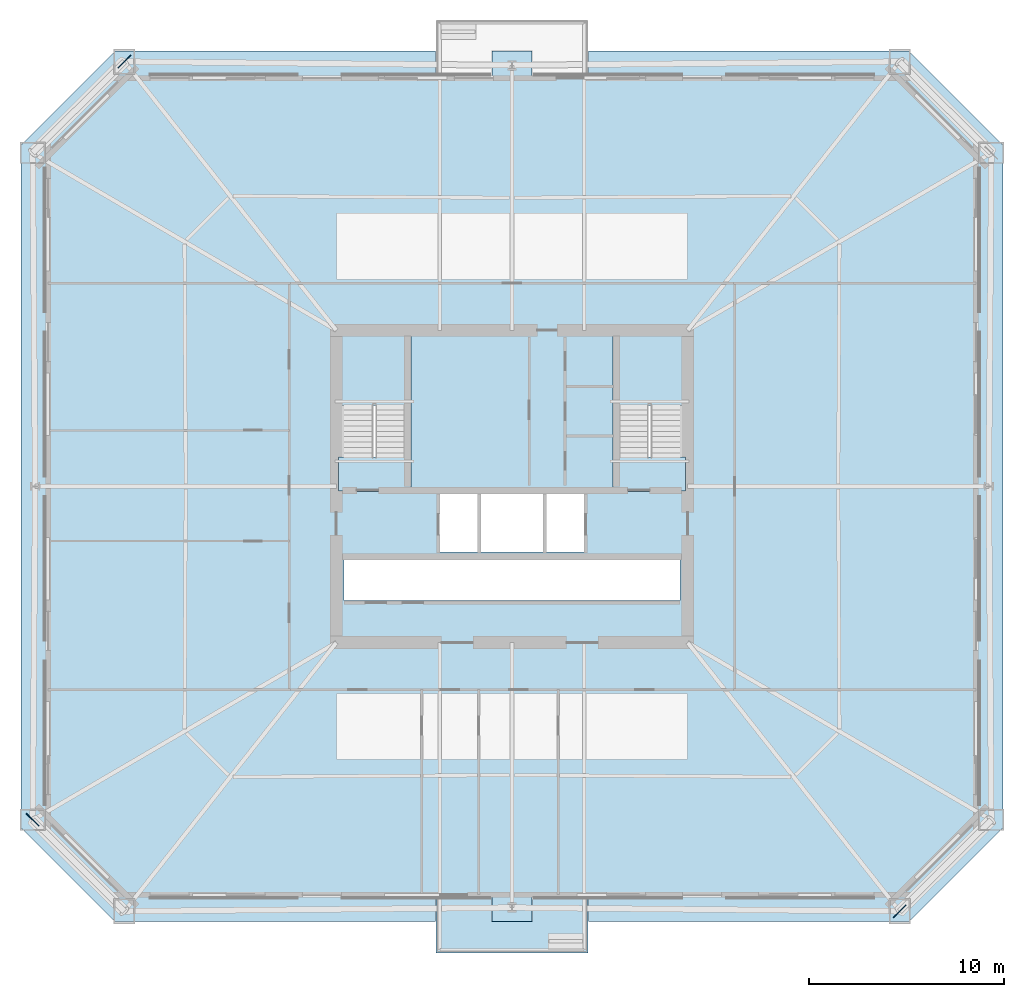
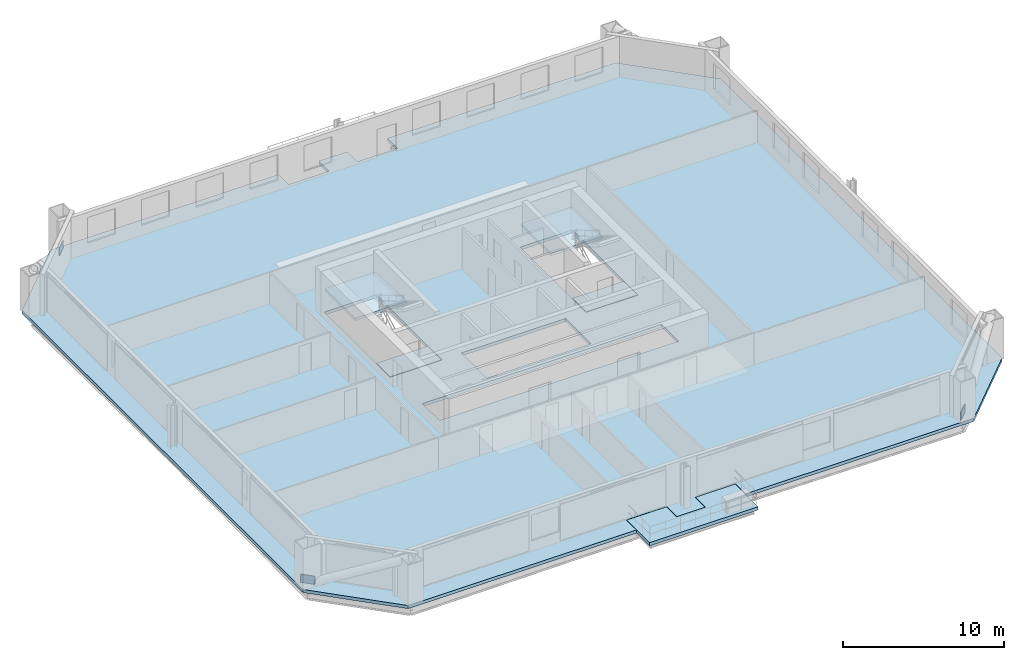
# One storey, part 2 of 8: 6 slabs, 3 plates, 2 elements without a shape of their own.
"""IFC4 building model written with IfcOpenShell, lengths in metres."""

from ifc_helpers import new_model, si_unit, direction, frame, origin, origin_2d, place, context, subcontext, project, spatial, polyline, rectangle, outline, extrude, material, layer, layer_set, type_object, element, aggregate, save


model = new_model("IFC4")

# Units and contexts
model_context = context("Model", 3, precision=1e-05, world=origin(), true_north=direction((0.0, 1.0)))
body_context = subcontext(model_context, "Body", "Model", "MODEL_VIEW")
ifc_project = project(units=[si_unit("LENGTHUNIT", "METRE"), si_unit("AREAUNIT", "SQUARE_METRE"), si_unit("VOLUMEUNIT", "CUBIC_METRE"), si_unit("PLANEANGLEUNIT", "RADIAN"), si_unit("MASSUNIT", "GRAM", prefix="KILO")], contexts=[model_context])

# Site, building, storey
site_placement = place(None, origin())
site = spatial("IfcSite", under=ifc_project, at=site_placement, CompositionType="ELEMENT")
building_placement = place(site_placement, origin())
building = spatial("IfcBuilding", under=site, at=building_placement, Name="Caelvoria Tower", CompositionType="ELEMENT")
storey_placement = place(building_placement, frame((0.0, 0.0, 42.39990234375)))
storey = spatial("IfcBuildingStorey", under=building, at=storey_placement, Name="L10", CompositionType="ELEMENT", Elevation=42.39990234375)

# Plates
ifc_material_1 = material(Name="Structural Steel ASTM A572 Gr.50", Category="steel")
ifc_layer_1 = layer(ifc_material_1, 0.0400390625, Name="Structural Steel ASTM A572 Gr.50")
ifc_layer_set_1 = layer_set([ifc_layer_1], Name="Megaframe Node Gusset Plate 900x600x40 - Structural Steel ASTM A572 Gr.50")
plate_type = type_object("IfcPlateType", Name="Megaframe Node Gusset Plate 900x600x40", PredefinedType="USERDEFINED", material=ifc_layer_set_1)
for number, where, z_axis, x_axis, name in (
    (1, (65.86474609375, 10.231689453125, 0.02001953125), (0.0, 0.0, 1.0), (0.708230183111, 0.705981591638, 0.0), "Chamfer Mega Brace Gusset L10 SE"),
    (2, (26.13525390625, 53.768310546875, 0.02001953125), (0.0, 0.0, 1.0), (-0.708230183111, -0.705981591638, 0.0), "Chamfer Mega Brace Gusset L10 NW"),
    (3, (21.44091796875, 14.9111328125, 0.02001953125), (0.0, 0.0, 1.0), (0.708230183111, -0.705981591638, 0.0), "Chamfer Mega Brace Gusset L10 SW"),
):
    element("IfcPlate", number, at=place(storey_placement, frame(where, z_axis=z_axis, x_axis=x_axis)), inside=storey, type_object=plate_type, Name=name, ObjectType="GUSSET_PLATE", PredefinedType="USERDEFINED", context=body_context, shape_type="SweptSolid", body=[
        extrude(rectangle(XDim=0.89990234375, YDim=0.0400390625, at=origin_2d()), origin(), (0.0, 0.0, 1.0), 0.60009765625),
    ])

# Stair, slabs
ifc_material_2 = material(Name="Concrete C40/50", Category="concrete")
stair_type = type_object("IfcStairType", Name="Core Smokeproof Dogleg Stair Concrete C40/50", PredefinedType="HALF_TURN_STAIR", material=ifc_material_2)
stair_1_placement = place(storey_placement, origin())
stair_1 = element("IfcStair", 4, at=stair_1_placement, inside=storey, type_object=stair_type, Name="ST-01 Smokeproof Exit Stair L10", PredefinedType="HALF_TURN_STAIR")
ifc_layer_2 = layer(ifc_material_2, 0.199951171875, Name="Concrete C40/50")
ifc_layer_set_2 = layer_set([ifc_layer_2], Name="Stair Half and Floor Landing Slab 200 Concrete C40/50 - Concrete C40/50")
slab_type_1 = type_object("IfcSlabType", Name="Stair Half and Floor Landing Slab 200 Concrete C40/50", PredefinedType="LANDING", material=ifc_layer_set_2)
slab_1_placement = place(storey_placement, frame((0.0, 0.0, -0.199951171875)))
slab_1 = element("IfcSlab", 5, at=slab_1_placement, type_object=slab_type_1, Name="ST-01 landing 1", PredefinedType="LANDING", context=body_context, shape_type="SweptSolid", body=[
    extrude(outline(polyline([(37.10009765625, 31.77001953125), (40.800048828125, 31.77001953125), (40.800048828125, 33.5), (37.10009765625, 33.5), (37.10009765625, 31.77001953125)])), origin(), (0.0, 0.0, 1.0), 0.199951171875),
])
slab_2_placement = place(storey_placement, frame((0.0, 0.0, 1.60009765625)))
slab_2 = element("IfcSlab", 6, at=slab_2_placement, type_object=slab_type_1, Name="ST-01 landing 2", PredefinedType="LANDING", context=body_context, shape_type="SweptSolid", body=[
    extrude(outline(polyline([(37.10009765625, 36.14990234375), (40.800048828125, 36.14990234375), (40.800048828125, 39.89990234375), (37.10009765625, 39.89990234375), (37.10009765625, 36.14990234375)])), origin(), (0.0, 0.0, 1.0), 0.199951171875),
])
aggregate(stair_1, [slab_1, slab_2])

stair_2_placement = place(storey_placement, origin())
stair_2 = element("IfcStair", 7, at=stair_2_placement, inside=storey, type_object=stair_type, Name="ST-02 Smokeproof Exit Stair L10", PredefinedType="HALF_TURN_STAIR")
slab_3_placement = place(storey_placement, frame((0.0, 0.0, -0.199951171875)))
slab_3 = element("IfcSlab", 8, at=slab_3_placement, type_object=slab_type_1, Name="ST-02 landing 1", PredefinedType="LANDING", context=body_context, shape_type="SweptSolid", body=[
    extrude(outline(polyline([(51.199951171875, 31.77001953125), (54.89990234375, 31.77001953125), (54.89990234375, 33.5), (51.199951171875, 33.5), (51.199951171875, 31.77001953125)])), origin(), (0.0, 0.0, 1.0), 0.199951171875),
])
slab_4_placement = place(storey_placement, frame((0.0, 0.0, 1.60009765625)))
slab_4 = element("IfcSlab", 9, at=slab_4_placement, type_object=slab_type_1, Name="ST-02 landing 2", PredefinedType="LANDING", context=body_context, shape_type="SweptSolid", body=[
    extrude(outline(polyline([(51.199951171875, 36.14990234375), (54.89990234375, 36.14990234375), (54.89990234375, 39.89990234375), (51.199951171875, 39.89990234375), (51.199951171875, 36.14990234375)])), origin(), (0.0, 0.0, 1.0), 0.199951171875),
])
aggregate(stair_2, [slab_3, slab_4])

# Slabs
ifc_layer_3 = layer(ifc_material_2, 0.239990234375, Name="Concrete C40/50")
ifc_layer_set_3 = layer_set([ifc_layer_3], Name="Tower Composite Office Slab 240 - Concrete C40/50")
slab_type_2 = type_object("IfcSlabType", Name="Tower Composite Office Slab 240", PredefinedType="FLOOR", material=ifc_layer_set_3)
slab_5_placement = place(storey_placement, frame((0.0, 0.0, -0.239990234375)))
element("IfcSlab", 10, at=slab_5_placement, inside=storey, type_object=slab_type_2, Name="Level L10 Structural Floor Slab", PredefinedType="FLOOR", context=body_context, shape_type="SweptSolid", body=[
    extrude(outline(polyline([(20.85009765625, 49.5), (20.85009765625, 14.5), (25.64990234375, 9.699951171875), (42.080078125, 9.699951171875), (42.080078125, 10.9599609375), (44.97998046875, 10.9599609375), (44.97998046875, 9.699951171875), (47.02001953125, 9.699951171875), (47.02001953125, 10.9599609375), (49.919921875, 10.9599609375), (49.919921875, 9.699951171875), (66.35009765625, 9.699951171875), (71.14990234375, 14.5), (71.14990234375, 49.5), (66.35009765625, 54.300048828125), (49.919921875, 54.300048828125), (49.919921875, 53.0400390625), (47.02001953125, 53.0400390625), (47.02001953125, 54.300048828125), (44.97998046875, 54.300048828125), (44.97998046875, 53.0400390625), (42.080078125, 53.0400390625), (42.080078125, 54.300048828125), (25.64990234375, 54.300048828125), (20.85009765625, 49.5)]), holes=[polyline([(37.080078125, 31.75), (40.820068359375, 31.75), (40.820068359375, 39.919921875), (37.080078125, 39.919921875), (37.080078125, 31.75)]), polyline([(51.179931640625, 31.75), (54.919921875, 31.75), (54.919921875, 39.919921875), (51.179931640625, 39.919921875), (51.179931640625, 31.75)]), polyline([(42.25, 28.64990234375), (49.75, 28.64990234375), (49.75, 31.800048828125), (42.25, 31.800048828125), (42.25, 28.64990234375)]), polyline([(37.39990234375, 26.14990234375), (54.60009765625, 26.14990234375), (54.60009765625, 28.25), (37.39990234375, 28.25), (37.39990234375, 26.14990234375)])]), origin(), (0.0, 0.0, 1.0), 0.239990234375),
])
ifc_material_3 = material(Name="Concrete C45/55", Category="concrete")
ifc_layer_4 = layer(ifc_material_3, 0.25, Name="Concrete C45/55")
ifc_layer_set_4 = layer_set([ifc_layer_4], Name="Tree Balcony Structural Planter Slab 250 - Concrete C45/55")
slab_type_3 = type_object("IfcSlabType", Name="Tree Balcony Structural Planter Slab 250", PredefinedType="FLOOR", material=ifc_layer_set_4)
slab_6_placement = place(storey_placement, frame((0.0, 0.0, -0.25)))
element("IfcSlab", 11, at=slab_6_placement, inside=storey, type_object=slab_type_3, Name="Tree Balcony Slab TB-L10-S", PredefinedType="FLOOR", context=body_context, shape_type="SweptSolid", body=[
    extrude(outline(polyline([(49.89990234375, 9.699951171875), (49.89990234375, 10.93994140625), (47.0400390625, 10.93994140625), (47.0400390625, 9.699951171875), (44.9599609375, 9.699951171875), (44.9599609375, 10.93994140625), (42.10009765625, 10.93994140625), (42.10009765625, 9.699951171875), (42.10009765625, 8.10009765625), (49.89990234375, 8.10009765625), (49.89990234375, 9.699951171875)])), origin(), (0.0, 0.0, 1.0), 0.25),
])

save(model, "model.ifc")
